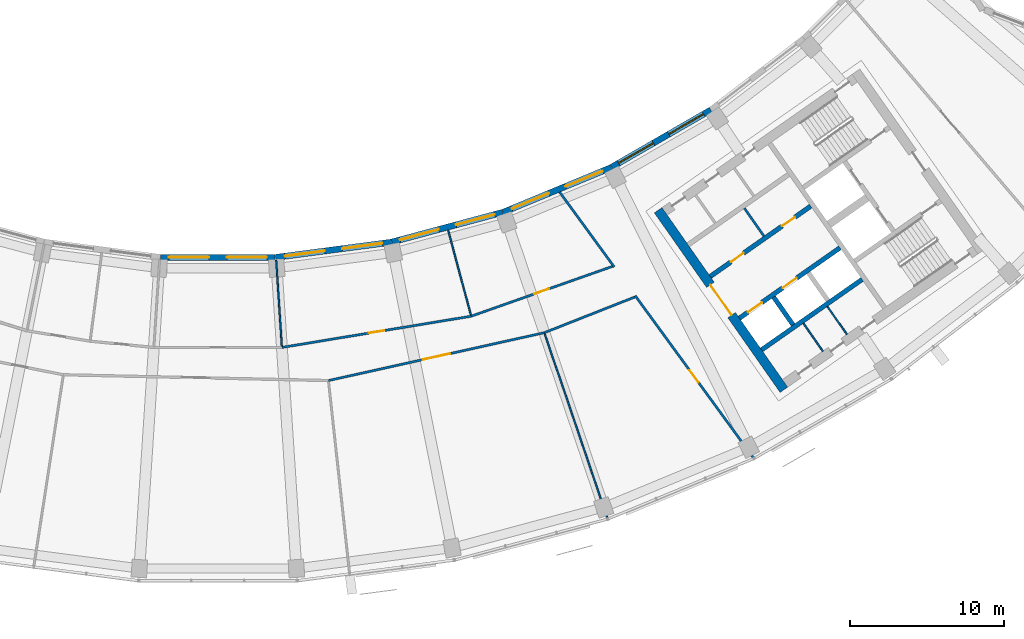
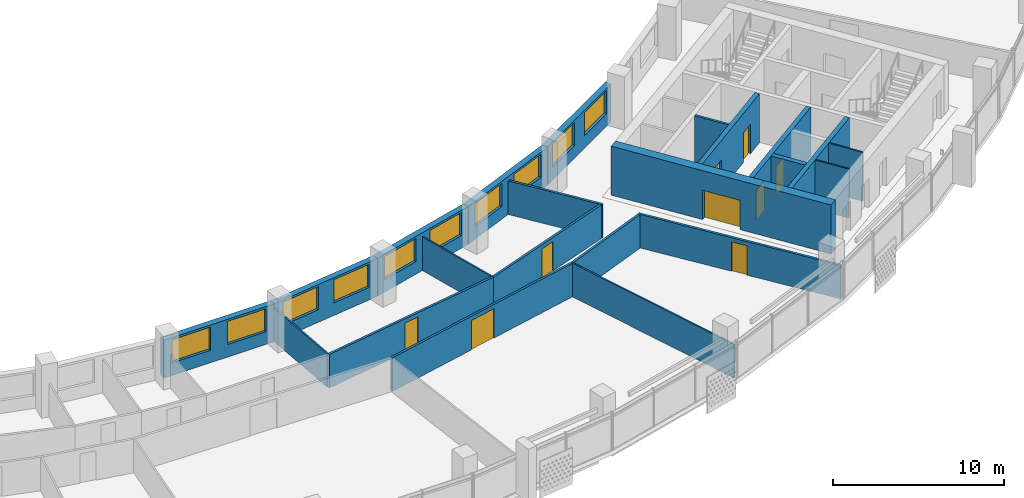
# One storey, part 6 of 28: 22 walls, 10 windows, 9 doors, 19 openings.
"""IFC4 building model written with IfcOpenShell, lengths in metres."""

from ifc_helpers import new_model, si_unit, direction, frame, frame_2d, origin, place, context, subcontext, project, spatial, rectangle, extrude, material, layer, layer_set, type_object, element, fill, save


model = new_model("IFC4")

# Units and contexts
model_context = context("Model", 3, precision=1e-05, world=origin(), true_north=direction((0.0, 1.0)))
body_context = subcontext(model_context, "Body", "Model", "MODEL_VIEW")
ifc_project = project(units=[si_unit("LENGTHUNIT", "METRE"), si_unit("AREAUNIT", "SQUARE_METRE"), si_unit("VOLUMEUNIT", "CUBIC_METRE"), si_unit("PLANEANGLEUNIT", "RADIAN"), si_unit("MASSUNIT", "GRAM", prefix="KILO")], contexts=[model_context])

# Site, building, storey
site_placement = place(None, origin())
site = spatial("IfcSite", under=ifc_project, at=site_placement, CompositionType="ELEMENT")
building_placement = place(site_placement, origin())
building = spatial("IfcBuilding", under=site, at=building_placement, Name="Qamariyya Broadcast Tower", CompositionType="ELEMENT")
storey_placement = place(building_placement, frame((0.0, 0.0, 215.10009765625)))
storey = spatial("IfcBuildingStorey", under=building, at=storey_placement, Name="L51", CompositionType="ELEMENT", Elevation=215.10009765625)

# Wall, opening, door
ifc_material_1 = material(Name="Concrete C60/75", Category="concrete")
ifc_layer_1 = layer(ifc_material_1, 0.60009765625)
ifc_layer_set_1 = layer_set([ifc_layer_1], Name="Core wall 600 mm Concrete C60/75")
wall_type_1 = type_object("IfcWallType", Name="Core wall 600 mm Concrete C60/75", PredefinedType="SHEAR", material=ifc_layer_set_1)
wall_1_placement = place(storey_placement, frame((36.66748046875, -66.005126953125, 0.0), z_axis=(0.0, 0.0, 1.0), x_axis=(-0.573568499524, 0.819157601658, 0.0)))
wall_1 = element("IfcWall", 1, at=wall_1_placement, inside=storey, type_object=wall_type_1, Name="k-E-L51-WA", PredefinedType="SHEAR", context=body_context, shape_type="SweptSolid", body=[
    extrude(rectangle(XDim=14.19970703125, YDim=0.60009765625, at=frame_2d((7.099853515625, 0.0))), origin(), (0.0, 0.0, 1.0), 3.5),
])
opening_1_placement = place(wall_1_placement, frame((5.89990234375, 0.0, 0.0)))
opening_1 = element("IfcOpeningElement", 2, at=opening_1_placement, cuts=wall_1, Name="Opening KD3-E1", PredefinedType="OPENING", context=body_context, shape_type="SweptSolid", body=[
    extrude(rectangle(XDim=2.39990234375, YDim=2.10009765625, at=frame_2d((1.199951171875, 1.050048828125))), frame((0.0, 0.31005859375, 0.0), z_axis=(0.0, -1.0, 0.0), x_axis=(1.0, 0.0, 0.0)), (0.0, 0.0, 1.0), 0.6201171875),
])
ifc_material_2 = material(Name="Steel fire-resisting door leaf", Category="steel")
door_type_1 = type_object("IfcDoorType", Name="Lift lobby door KD3", OperationType="DOUBLE_DOOR_SINGLE_SWING", PredefinedType="DOOR", material=ifc_material_2)
door_1_placement = place(opening_1_placement, origin())
door_1 = element("IfcDoor", 3, at=door_1_placement, inside=storey, type_object=door_type_1, Name="k-E-L51-WA-D1", OperationType="DOUBLE_DOOR_SINGLE_SWING", OverallHeight=2.10009765625, OverallWidth=2.39990234375, PredefinedType="DOOR", context=body_context, shape_type="SweptSolid", body=[
    extrude(rectangle(XDim=2.39990234375, YDim=2.10009765625, at=frame_2d((1.199951171875, 1.050048828125))), frame((0.0, 0.02490234375, 0.0), z_axis=(0.0, -1.0, 0.0), x_axis=(1.0, 0.0, 0.0)), (0.0, 0.0, 1.0), 0.050048828125),
])
fill(opening_1, door_1)

ifc_material_3 = material(Name="Gypsum board partition")
ifc_layer_2 = layer(ifc_material_3, 0.14990234375)
ifc_layer_set_2 = layer_set([ifc_layer_2], Name="Corridor partition 150 EI 60")
wall_type_2 = type_object("IfcWallType", Name="Corridor partition 150 EI 60", PredefinedType="PARTITIONING", material=ifc_layer_set_2)
wall_2_placement = place(storey_placement, frame((4.146484375, -63.26416015625, 0.0), z_axis=(0.0, 0.0, 1.0), x_axis=(0.986645467323, 0.162882539919, 0.0)))
wall_2 = element("IfcWall", 4, at=wall_2_placement, inside=storey, type_object=wall_type_2, Name="Partition L51-019", PredefinedType="PARTITIONING", context=body_context, shape_type="SweptSolid", body=[
    extrude(rectangle(XDim=12.4287109375, YDim=0.14990234375, at=frame_2d((6.21435546875, 0.0))), origin(), (0.0, 0.0, 1.0), 2.39990234375),
])
opening_2_placement = place(wall_2_placement, frame((5.71435546875, 0.0, 0.0)))
opening_2 = element("IfcOpeningElement", 5, at=opening_2_placement, cuts=wall_2, Name="Opening L51-D11", PredefinedType="OPENING", context=body_context, shape_type="SweptSolid", body=[
    extrude(rectangle(XDim=1.0, YDim=2.10009765625, at=frame_2d((0.5, 1.050048828125))), frame((0.0, 0.0849609375, 0.0), z_axis=(0.0, -1.0, 0.0), x_axis=(1.0, 0.0, 0.0)), (0.0, 0.0, 1.0), 0.169921875),
])
ifc_material_4 = material(Name="Timber fire door leaf", Category="wood")
door_type_2 = type_object("IfcDoorType", Name="Fire door 1000 x 2100 FD60", OperationType="NOTDEFINED", PredefinedType="DOOR", material=ifc_material_4)
door_2_placement = place(opening_2_placement, origin())
door_2 = element("IfcDoor", 6, at=door_2_placement, inside=storey, type_object=door_type_2, Name="Door L51-D11", OperationType="SINGLE_SWING_RIGHT", OverallHeight=2.10009765625, OverallWidth=1.0, PredefinedType="DOOR", context=body_context, shape_type="SweptSolid", body=[
    extrude(rectangle(XDim=1.0, YDim=2.10009765625, at=frame_2d((0.5, 1.050048828125))), frame((0.0, 0.02490234375, 0.0), z_axis=(0.0, -1.0, 0.0), x_axis=(1.0, 0.0, 0.0)), (0.0, 0.0, 1.0), 0.050048828125),
])
fill(opening_2, door_2)

wall_3_placement = place(storey_placement, frame((21.150634765625, -62.30810546875, 0.0), z_axis=(0.0, 0.0, 1.0), x_axis=(-0.976299184302, -0.216425282099, 0.0)))
wall_3 = element("IfcWall", 7, at=wall_3_placement, inside=storey, type_object=wall_type_2, Name="Partition L51-020", PredefinedType="PARTITIONING", context=body_context, shape_type="SweptSolid", body=[
    extrude(rectangle(XDim=14.32861328125, YDim=0.14990234375, at=frame_2d((7.164306640625, 0.0))), origin(), (0.0, 0.0, 1.0), 2.39990234375),
])
opening_3_placement = place(wall_3_placement, frame((6.264404296875, 0.0, 0.0)))
opening_3 = element("IfcOpeningElement", 8, at=opening_3_placement, cuts=wall_3, Name="Opening L51-D05", PredefinedType="OPENING", context=body_context, shape_type="SweptSolid", body=[
    extrude(rectangle(XDim=1.800048828125, YDim=2.10009765625, at=frame_2d((0.89990234375, 1.050048828125))), frame((0.0, 0.0849609375, 0.0), z_axis=(0.0, -1.0, 0.0), x_axis=(1.0, 0.0, 0.0)), (0.0, 0.0, 1.0), 0.169921875),
])
door_type_3 = type_object("IfcDoorType", Name="Double fire door 1800 x 2100 FD60", OperationType="NOTDEFINED", PredefinedType="DOOR", material=ifc_material_4)
door_3_placement = place(opening_3_placement, origin())
door_3 = element("IfcDoor", 9, at=door_3_placement, inside=storey, type_object=door_type_3, Name="Door L51-D05", OperationType="DOUBLE_DOOR_SINGLE_SWING", OverallHeight=2.10009765625, OverallWidth=1.800048828125, PredefinedType="DOOR", context=body_context, shape_type="SweptSolid", body=[
    extrude(rectangle(XDim=1.800048828125, YDim=2.10009765625, at=frame_2d((0.89990234375, 1.050048828125))), frame((0.0, 0.02490234375, 0.0), z_axis=(0.0, -1.0, 0.0), x_axis=(1.0, 0.0, 0.0)), (0.0, 0.0, 1.0), 0.050048828125),
])
fill(opening_3, door_3)

wall_4_placement = place(storey_placement, frame((16.4091796875, -61.23974609375, 0.0), z_axis=(0.0, 0.0, 1.0), x_axis=(0.943087830275, 0.332543748081, 0.0)))
wall_4 = element("IfcWall", 10, at=wall_4_placement, inside=storey, type_object=wall_type_2, Name="Partition L51-023", PredefinedType="PARTITIONING", context=body_context, shape_type="SweptSolid", body=[
    extrude(rectangle(XDim=9.7041015625, YDim=0.14990234375, at=frame_2d((4.85205078125, 0.0))), origin(), (0.0, 0.0, 1.0), 2.39990234375),
])
opening_4_placement = place(wall_4_placement, frame((4.35205078125, 0.0, 0.0)))
opening_4 = element("IfcOpeningElement", 11, at=opening_4_placement, cuts=wall_4, Name="Opening L51-D12", PredefinedType="OPENING", context=body_context, shape_type="SweptSolid", body=[
    extrude(rectangle(XDim=1.0, YDim=2.10009765625, at=frame_2d((0.5, 1.050048828125))), frame((0.0, 0.0849609375, 0.0), z_axis=(0.0, -1.0, 0.0), x_axis=(1.0, 0.0, 0.0)), (0.0, 0.0, 1.0), 0.169921875),
])
door_4_placement = place(opening_4_placement, origin())
door_4 = element("IfcDoor", 12, at=door_4_placement, inside=storey, type_object=door_type_2, Name="Door L51-D12", OperationType="SINGLE_SWING_RIGHT", OverallHeight=2.10009765625, OverallWidth=1.0, PredefinedType="DOOR", context=body_context, shape_type="SweptSolid", body=[
    extrude(rectangle(XDim=1.0, YDim=2.10009765625, at=frame_2d((0.5, 1.050048828125))), frame((0.0, 0.02490234375, 0.0), z_axis=(0.0, -1.0, 0.0), x_axis=(1.0, 0.0, 0.0)), (0.0, 0.0, 1.0), 0.050048828125),
])
fill(opening_4, door_4)

# Walls
wall_5_placement = place(storey_placement, frame((21.150634765625, -62.30810546875, 0.0), z_axis=(0.0, 0.0, 1.0), x_axis=(0.930254850636, 0.366914040162, 0.0)))
element("IfcWall", 13, at=wall_5_placement, inside=storey, type_object=wall_type_2, Name="Partition L51-024", PredefinedType="PARTITIONING", context=body_context, shape_type="SweptSolid", body=[
    extrude(rectangle(XDim=6.296630859375, YDim=0.14990234375, at=frame_2d((3.1484375, 0.0))), origin(), (0.0, 0.0, 1.0), 2.39990234375),
])
wall_6_placement = place(storey_placement, frame((22.135498046875, -53.1943359375, 0.0), z_axis=(0.0, 0.0, 1.0), x_axis=(0.589297062476, -0.807916438846, 0.0)))
element("IfcWall", 14, at=wall_6_placement, inside=storey, type_object=wall_type_2, Name="Partition L51-025", PredefinedType="PARTITIONING", context=body_context, shape_type="SweptSolid", body=[
    extrude(rectangle(XDim=6.008056640625, YDim=0.14990234375, at=frame_2d((3.00390625, 0.0))), origin(), (0.0, 0.0, 1.0), 2.39990234375),
])

# Wall, opening, door
wall_7_placement = place(storey_placement, frame((34.668212890625, -70.37744140625, 0.0), z_axis=(0.0, 0.0, 1.0), x_axis=(-0.589273648147, 0.807933516819, 0.0)))
wall_7 = element("IfcWall", 15, at=wall_7_placement, inside=storey, type_object=wall_type_2, Name="Partition L51-027", PredefinedType="PARTITIONING", context=body_context, shape_type="SweptSolid", body=[
    extrude(rectangle(XDim=12.956298828125, YDim=0.14990234375, at=frame_2d((6.47802734375, 0.0))), origin(), (0.0, 0.0, 1.0), 2.39990234375),
])
opening_5_placement = place(wall_7_placement, frame((5.97802734375, 0.0, 0.0)))
opening_5 = element("IfcOpeningElement", 16, at=opening_5_placement, cuts=wall_7, Name="Opening L51-D06", PredefinedType="OPENING", context=body_context, shape_type="SweptSolid", body=[
    extrude(rectangle(XDim=1.0, YDim=2.10009765625, at=frame_2d((0.5, 1.050048828125))), frame((0.0, 0.0849609375, 0.0), z_axis=(0.0, -1.0, 0.0), x_axis=(1.0, 0.0, 0.0)), (0.0, 0.0, 1.0), 0.169921875),
])
door_5_placement = place(opening_5_placement, origin())
door_5 = element("IfcDoor", 17, at=door_5_placement, inside=storey, type_object=door_type_2, Name="Door L51-D06", OperationType="SINGLE_SWING_RIGHT", OverallHeight=2.10009765625, OverallWidth=1.0, PredefinedType="DOOR", context=body_context, shape_type="SweptSolid", body=[
    extrude(rectangle(XDim=1.0, YDim=2.10009765625, at=frame_2d((0.5, 1.050048828125))), frame((0.0, 0.02490234375, 0.0), z_axis=(0.0, -1.0, 0.0), x_axis=(1.0, 0.0, 0.0)), (0.0, 0.0, 1.0), 0.050048828125),
])
fill(opening_5, door_5)

# Wall
ifc_material_5 = material(Name="Gypsum board partition on steel studs", Category="steel")
ifc_layer_3 = layer(ifc_material_5, 0.14990234375)
ifc_layer_set_3 = layer_set([ifc_layer_3], Name="Gypsum board partition 150 mm")
wall_type_3 = type_object("IfcWallType", Name="Gypsum board partition 150 mm", PredefinedType="PARTITIONING", material=ifc_layer_set_3)
wall_8_placement = place(storey_placement, frame((35.371826171875, -56.047607421875, 0.0), z_axis=(0.0, 0.0, 1.0), x_axis=(-0.573559170999, 0.819164133348, 0.0)))
element("IfcWall", 18, at=wall_8_placement, inside=storey, type_object=wall_type_3, Name="k-E-L51-NC435", PredefinedType="PARTITIONING", context=body_context, shape_type="SweptSolid", body=[
    extrude(rectangle(XDim=2.19970703125, YDim=0.14990234375, at=frame_2d((1.099853515625, 0.0))), origin(), (0.0, 0.0, 1.0), 3.5),
])

# Wall, openings, doors
ifc_layer_4 = layer(ifc_material_1, 0.300048828125)
ifc_layer_set_4 = layer_set([ifc_layer_4], Name="Lift shaft wall 300 mm Concrete C60/75")
wall_type_4 = type_object("IfcWallType", Name="Lift shaft wall 300 mm Concrete C60/75", PredefinedType="SOLIDWALL", material=ifc_layer_set_4)
wall_9_placement = place(storey_placement, frame((31.89453125, -58.66552734375, 0.0), z_axis=(0.0, 0.0, 1.0), x_axis=(0.819166993208, 0.573555086491, 0.0)))
wall_9 = element("IfcWall", 19, at=wall_9_placement, inside=storey, type_object=wall_type_4, Name="k-E-L51-NF0", PredefinedType="SOLIDWALL", context=body_context, shape_type="SweptSolid", body=[
    extrude(rectangle(XDim=7.9501953125, YDim=0.300048828125, at=frame_2d((3.97509765625, 0.0))), origin(), (0.0, 0.0, 1.0), 3.5),
])
opening_6_placement = place(wall_9_placement, frame((1.637451171875, 0.0, 0.0)))
opening_6 = element("IfcOpeningElement", 20, at=opening_6_placement, cuts=wall_9, Name="Opening KD6-E1", PredefinedType="OPENING", context=body_context, shape_type="SweptSolid", body=[
    extrude(rectangle(XDim=1.0, YDim=2.10009765625, at=frame_2d((0.5, 1.050048828125))), frame((0.0, 0.159912109375, 0.0), z_axis=(0.0, -1.0, 0.0), x_axis=(1.0, 0.0, 0.0)), (0.0, 0.0, 1.0), 0.320068359375),
])
opening_7_placement = place(wall_9_placement, frame((5.6875, 0.0, 0.0)))
opening_7 = element("IfcOpeningElement", 21, at=opening_7_placement, cuts=wall_9, Name="Opening KD6-E2", PredefinedType="OPENING", context=body_context, shape_type="SweptSolid", body=[
    extrude(rectangle(XDim=1.0, YDim=2.10009765625, at=frame_2d((0.5, 1.050048828125))), frame((0.0, 0.159912109375, 0.0), z_axis=(0.0, -1.0, 0.0), x_axis=(1.0, 0.0, 0.0)), (0.0, 0.0, 1.0), 0.320068359375),
])
door_type_4 = type_object("IfcDoorType", Name="Core room door KD6", OperationType="SINGLE_SWING_LEFT", PredefinedType="DOOR", material=ifc_material_2)
door_6_placement = place(opening_6_placement, origin())
door_6 = element("IfcDoor", 22, at=door_6_placement, inside=storey, type_object=door_type_4, Name="k-E-L51-NF0-D2", OperationType="SINGLE_SWING_RIGHT", OverallHeight=2.10009765625, OverallWidth=1.0, PredefinedType="DOOR", context=body_context, shape_type="SweptSolid", body=[
    extrude(rectangle(XDim=1.0, YDim=2.10009765625, at=frame_2d((0.5, 1.050048828125))), frame((0.0, 0.02490234375, 0.0), z_axis=(0.0, -1.0, 0.0), x_axis=(1.0, 0.0, 0.0)), (0.0, 0.0, 1.0), 0.050048828125),
])
fill(opening_6, door_6)
door_7_placement = place(opening_7_placement, origin())
door_7 = element("IfcDoor", 23, at=door_7_placement, inside=storey, type_object=door_type_4, Name="k-E-L51-NF0-D3", OperationType="SINGLE_SWING_LEFT", OverallHeight=2.10009765625, OverallWidth=1.0, PredefinedType="DOOR", context=body_context, shape_type="SweptSolid", body=[
    extrude(rectangle(XDim=1.0, YDim=2.10009765625, at=frame_2d((0.5, 1.050048828125))), frame((0.0, 0.02490234375, 0.0), z_axis=(0.0, -1.0, 0.0), x_axis=(1.0, 0.0, 0.0)), (0.0, 0.0, 1.0), 0.050048828125),
])
fill(opening_7, door_7)

wall_10_placement = place(storey_placement, frame((33.787353515625, -61.368896484375, 0.0), z_axis=(0.0, 0.0, 1.0), x_axis=(0.819152564888, 0.573575692858, 0.0)))
wall_10 = element("IfcWall", 24, at=wall_10_placement, inside=storey, type_object=wall_type_4, Name="k-E-L51-SF0", PredefinedType="SOLIDWALL", context=body_context, shape_type="SweptSolid", body=[
    extrude(rectangle(XDim=7.9501953125, YDim=0.300048828125, at=frame_2d((3.97509765625, 0.0))), origin(), (0.0, 0.0, 1.0), 3.5),
])
opening_8_placement = place(wall_10_placement, frame((0.675048828125, 0.0, 0.0)))
opening_8 = element("IfcOpeningElement", 25, at=opening_8_placement, cuts=wall_10, Name="Opening LD", PredefinedType="OPENING", context=body_context, shape_type="SweptSolid", body=[
    extrude(rectangle(XDim=1.10009765625, YDim=2.10009765625, at=frame_2d((0.550048828125, 1.050048828125))), frame((0.0, 0.159912109375, 0.0), z_axis=(0.0, -1.0, 0.0), x_axis=(1.0, 0.0, 0.0)), (0.0, 0.0, 1.0), 0.320068359375),
])
opening_9_placement = place(wall_10_placement, frame((3.425048828125, 0.0, 0.0)))
opening_9 = element("IfcOpeningElement", 26, at=opening_9_placement, cuts=wall_10, Name="Opening LD", PredefinedType="OPENING", context=body_context, shape_type="SweptSolid", body=[
    extrude(rectangle(XDim=1.10009765625, YDim=2.10009765625, at=frame_2d((0.550048828125, 1.050048828125))), frame((0.0, 0.159912109375, 0.0), z_axis=(0.0, -1.0, 0.0), x_axis=(1.0, 0.0, 0.0)), (0.0, 0.0, 1.0), 0.320068359375),
])
door_type_5 = type_object("IfcDoorType", Name="Lift landing door LD", OperationType="DOUBLE_DOOR_SLIDING", PredefinedType="DOOR", material=ifc_material_2)
door_8_placement = place(opening_8_placement, origin())
door_8 = element("IfcDoor", 27, at=door_8_placement, inside=storey, type_object=door_type_5, Name="k-E-L51-SF0-D4", OperationType="DOUBLE_DOOR_SLIDING", OverallHeight=2.10009765625, OverallWidth=1.10009765625, PredefinedType="DOOR", context=body_context, shape_type="SweptSolid", body=[
    extrude(rectangle(XDim=1.10009765625, YDim=2.10009765625, at=frame_2d((0.550048828125, 1.050048828125))), frame((0.0, 0.02490234375, 0.0), z_axis=(0.0, -1.0, 0.0), x_axis=(1.0, 0.0, 0.0)), (0.0, 0.0, 1.0), 0.050048828125),
])
fill(opening_8, door_8)
door_9_placement = place(opening_9_placement, origin())
door_9 = element("IfcDoor", 28, at=door_9_placement, inside=storey, type_object=door_type_5, Name="k-E-L51-SF0-D5", OperationType="DOUBLE_DOOR_SLIDING", OverallHeight=2.10009765625, OverallWidth=1.10009765625, PredefinedType="DOOR", context=body_context, shape_type="SweptSolid", body=[
    extrude(rectangle(XDim=1.10009765625, YDim=2.10009765625, at=frame_2d((0.550048828125, 1.050048828125))), frame((0.0, 0.02490234375, 0.0), z_axis=(0.0, -1.0, 0.0), x_axis=(1.0, 0.0, 0.0)), (0.0, 0.0, 1.0), 0.050048828125),
])
fill(opening_9, door_9)

# Walls
wall_11_placement = place(storey_placement, frame((35.22119140625, -63.41650390625, 0.0), z_axis=(0.0, 0.0, 1.0), x_axis=(0.819166993208, 0.573555086491, 0.0)))
element("IfcWall", 29, at=wall_11_placement, inside=storey, type_object=wall_type_4, Name="k-E-L51-SB0", PredefinedType="SOLIDWALL", context=body_context, shape_type="SweptSolid", body=[
    extrude(rectangle(XDim=7.9501953125, YDim=0.300048828125, at=frame_2d((3.97509765625, 0.0))), origin(), (0.0, 0.0, 1.0), 3.5),
])
wall_12_placement = place(storey_placement, frame((36.003173828125, -60.000244140625, 0.0), z_axis=(0.0, 0.0, 1.0), x_axis=(0.573581496053, -0.819148501424, 0.0)))
element("IfcWall", 30, at=wall_12_placement, inside=storey, type_object=wall_type_4, Name="k-E-L51-SD0", PredefinedType="SOLIDWALL", context=body_context, shape_type="SweptSolid", body=[
    extrude(rectangle(XDim=2.2001953125, YDim=0.300048828125, at=frame_2d((1.10009765625, 0.0))), origin(), (0.0, 0.0, 1.0), 3.5),
])
ifc_layer_5 = layer(ifc_material_3, 0.10009765625)
ifc_layer_set_5 = layer_set([ifc_layer_5], Name="Partition 100")
wall_type_5 = type_object("IfcWallType", Name="Partition 100", PredefinedType="PARTITIONING", material=ifc_layer_set_5)
wall_13_placement = place(storey_placement, frame((3.777099609375, -57.62646484375, 0.0), z_axis=(0.0, 0.0, 1.0), x_axis=(0.065382488891, -0.997860275864, 0.0)))
element("IfcWall", 31, at=wall_13_placement, inside=storey, type_object=wall_type_5, Name="Partition L51-018", PredefinedType="PARTITIONING", context=body_context, shape_type="SweptSolid", body=[
    extrude(rectangle(XDim=5.574951171875, YDim=0.10009765625, at=frame_2d((2.78759765625, 0.0))), origin(), (0.0, 0.0, 1.0), 2.39990234375),
])
wall_14_placement = place(storey_placement, frame((14.9150390625, -55.66357421875, 0.0), z_axis=(0.0, 0.0, 1.0), x_axis=(0.258803907589, -0.965929882247, 0.0)))
element("IfcWall", 32, at=wall_14_placement, inside=storey, type_object=wall_type_5, Name="Partition L51-022", PredefinedType="PARTITIONING", context=body_context, shape_type="SweptSolid", body=[
    extrude(rectangle(XDim=5.69775390625, YDim=0.10009765625, at=frame_2d((2.848876953125, 0.0))), origin(), (0.0, 0.0, 1.0), 2.39990234375),
])
wall_15_placement = place(storey_placement, frame((25.217041015625, -74.28662109375, 0.0), z_axis=(0.0, 0.0, 1.0), x_axis=(-0.321447438057, 0.946927423072, 0.0)))
element("IfcWall", 33, at=wall_15_placement, inside=storey, type_object=wall_type_5, Name="Partition L51-026", PredefinedType="PARTITIONING", context=body_context, shape_type="SweptSolid", body=[
    extrude(rectangle(XDim=12.5751953125, YDim=0.10009765625, at=frame_2d((6.28759765625, 0.0))), origin(), (0.0, 0.0, 1.0), 2.39990234375),
])
ifc_material_6 = material(Name="Fire-rated gypsum shaft liner on steel studs", Category="steel")
ifc_layer_6 = layer(ifc_material_6, 0.10009765625)
ifc_layer_set_6 = layer_set([ifc_layer_6], Name="Riser wall 100 mm")
wall_type_6 = type_object("IfcWallType", Name="Riser wall 100 mm", PredefinedType="PLUMBINGWALL", material=ifc_layer_set_6)
wall_16_placement = place(storey_placement, frame((37.9287109375, -61.7041015625, 0.0), z_axis=(0.0, 0.0, 1.0), x_axis=(0.573559170999, -0.819164133348, 0.0)))
element("IfcWall", 34, at=wall_16_placement, inside=storey, type_object=wall_type_6, Name="k-E-L51-SP320", PredefinedType="PLUMBINGWALL", context=body_context, shape_type="SweptSolid", body=[
    extrude(rectangle(XDim=2.19970703125, YDim=0.10009765625, at=frame_2d((1.099853515625, 0.0))), origin(), (0.0, 0.0, 1.0), 3.5),
])
wall_17_placement = place(storey_placement, frame((39.485107421875, -60.6142578125, 0.0), z_axis=(0.0, 0.0, 1.0), x_axis=(0.573507030513, -0.819200638399, 0.0)))
element("IfcWall", 35, at=wall_17_placement, inside=storey, type_object=wall_type_6, Name="k-E-L51-SP510", PredefinedType="PLUMBINGWALL", context=body_context, shape_type="SweptSolid", body=[
    extrude(rectangle(XDim=2.199951171875, YDim=0.10009765625, at=frame_2d((1.10009765625, 0.0))), origin(), (0.0, 0.0, 1.0), 3.5),
])

# Wall, openings, windows
ifc_material_7 = material(Name="Terracotta", Category="masonry")
ifc_layer_7 = layer(ifc_material_7, 0.39990234375)
ifc_layer_set_7 = layer_set([ifc_layer_7], Name="Terracotta clad wall 400")
wall_type_7 = type_object("IfcWallType", Name="Terracotta clad wall 400", PredefinedType="SOLIDWALL", material=ifc_layer_set_7)
wall_18_placement = place(storey_placement, frame((18.449951171875, -54.50927734375, 0.0), z_axis=(0.0, 0.0, 1.0), x_axis=(-0.965924866111, -0.25882262851, 0.0)))
wall_18 = element("IfcWall", 36, at=wall_18_placement, inside=storey, type_object=wall_type_7, Name="e-wl-L51-in100", PredefinedType="SOLIDWALL", context=body_context, shape_type="SweptSolid", body=[
    extrude(rectangle(XDim=7.426513671875, YDim=0.39990234375, at=frame_2d((3.71337890625, 0.0))), origin(), (0.0, 0.0, 1.0), 2.699951171875),
])
opening_10_placement = place(wall_18_placement, frame((4.28857421875, 0.0, 0.89990234375)))
opening_10 = element("IfcOpeningElement", 37, at=opening_10_placement, cuts=wall_18, Name="Opening W1", PredefinedType="OPENING", context=body_context, shape_type="SweptSolid", body=[
    extrude(rectangle(XDim=2.60009765625, YDim=1.64990234375, at=frame_2d((1.300048828125, 0.824951171875))), frame((0.0, 0.2099609375, 0.0), z_axis=(0.0, -1.0, 0.0), x_axis=(1.0, 0.0, 0.0)), (0.0, 0.0, 1.0), 0.419921875),
])
opening_11_placement = place(wall_18_placement, frame((0.537841796875, 0.0, 0.89990234375)))
opening_11 = element("IfcOpeningElement", 38, at=opening_11_placement, cuts=wall_18, Name="Opening W1", PredefinedType="OPENING", context=body_context, shape_type="SweptSolid", body=[
    extrude(rectangle(XDim=2.60009765625, YDim=1.64990234375, at=frame_2d((1.300048828125, 0.824951171875))), frame((0.0, 0.2099609375, 0.0), z_axis=(0.0, -1.0, 0.0), x_axis=(1.0, 0.0, 0.0)), (0.0, 0.0, 1.0), 0.419921875),
])
ifc_material_8 = material(Name="Clear low-e double glazed unit in aluminium frame", Category="aluminium")
window_type = type_object("IfcWindowType", Name="Ribbon window 2600 x 1650", PartitioningType="SINGLE_PANEL", PredefinedType="WINDOW", material=ifc_material_8)
window_1_placement = place(opening_10_placement, origin())
window_1 = element("IfcWindow", 39, at=window_1_placement, inside=storey, type_object=window_type, Name="e-w-L51-in10-0", OverallHeight=1.64990234375, OverallWidth=2.60009765625, PartitioningType="SINGLE_PANEL", PredefinedType="WINDOW", context=body_context, shape_type="SweptSolid", body=[
    extrude(rectangle(XDim=2.60009765625, YDim=1.64990234375, at=frame_2d((1.300048828125, 0.824951171875))), frame((0.0, 0.030029296875, 0.0), z_axis=(0.0, -1.0, 0.0), x_axis=(1.0, 0.0, 0.0)), (0.0, 0.0, 1.0), 0.06005859375),
])
fill(opening_10, window_1)
window_2_placement = place(opening_11_placement, origin())
window_2 = element("IfcWindow", 40, at=window_2_placement, inside=storey, type_object=window_type, Name="e-w-L51-in10-1", OverallHeight=1.64990234375, OverallWidth=2.60009765625, PartitioningType="SINGLE_PANEL", PredefinedType="WINDOW", context=body_context, shape_type="SweptSolid", body=[
    extrude(rectangle(XDim=2.60009765625, YDim=1.64990234375, at=frame_2d((1.300048828125, 0.824951171875))), frame((0.0, 0.030029296875, 0.0), z_axis=(0.0, -1.0, 0.0), x_axis=(1.0, 0.0, 0.0)), (0.0, 0.0, 1.0), 0.06005859375),
])
fill(opening_11, window_2)

wall_19_placement = place(storey_placement, frame((25.47705078125, -51.60595703125, 0.0), z_axis=(0.0, 0.0, 1.0), x_axis=(-0.923884115122, -0.382672368777, 0.0)))
wall_19 = element("IfcWall", 41, at=wall_19_placement, inside=storey, type_object=wall_type_7, Name="e-wl-L51-in110", PredefinedType="SOLIDWALL", context=body_context, shape_type="SweptSolid", body=[
    extrude(rectangle(XDim=7.578125, YDim=0.39990234375, at=frame_2d((3.7890625, 0.0))), origin(), (0.0, 0.0, 1.0), 2.699951171875),
])
opening_12_placement = place(wall_19_placement, frame((4.364501953125, 0.0, 0.89990234375)))
opening_12 = element("IfcOpeningElement", 42, at=opening_12_placement, cuts=wall_19, Name="Opening W1", PredefinedType="OPENING", context=body_context, shape_type="SweptSolid", body=[
    extrude(rectangle(XDim=2.60009765625, YDim=1.64990234375, at=frame_2d((1.300048828125, 0.824951171875))), frame((0.0, 0.2099609375, 0.0), z_axis=(0.0, -1.0, 0.0), x_axis=(1.0, 0.0, 0.0)), (0.0, 0.0, 1.0), 0.419921875),
])
opening_13_placement = place(wall_19_placement, frame((0.613525390625, 0.0, 0.89990234375)))
opening_13 = element("IfcOpeningElement", 43, at=opening_13_placement, cuts=wall_19, Name="Opening W1", PredefinedType="OPENING", context=body_context, shape_type="SweptSolid", body=[
    extrude(rectangle(XDim=2.60009765625, YDim=1.64990234375, at=frame_2d((1.300048828125, 0.824951171875))), frame((0.0, 0.2099609375, 0.0), z_axis=(0.0, -1.0, 0.0), x_axis=(1.0, 0.0, 0.0)), (0.0, 0.0, 1.0), 0.419921875),
])
window_3_placement = place(opening_12_placement, origin())
window_3 = element("IfcWindow", 44, at=window_3_placement, inside=storey, type_object=window_type, Name="e-w-L51-in11-0", OverallHeight=1.64990234375, OverallWidth=2.60009765625, PartitioningType="SINGLE_PANEL", PredefinedType="WINDOW", context=body_context, shape_type="SweptSolid", body=[
    extrude(rectangle(XDim=2.60009765625, YDim=1.64990234375, at=frame_2d((1.300048828125, 0.824951171875))), frame((0.0, 0.030029296875, 0.0), z_axis=(0.0, -1.0, 0.0), x_axis=(1.0, 0.0, 0.0)), (0.0, 0.0, 1.0), 0.06005859375),
])
fill(opening_12, window_3)
window_4_placement = place(opening_13_placement, origin())
window_4 = element("IfcWindow", 45, at=window_4_placement, inside=storey, type_object=window_type, Name="e-w-L51-in11-1", OverallHeight=1.64990234375, OverallWidth=2.60009765625, PartitioningType="SINGLE_PANEL", PredefinedType="WINDOW", context=body_context, shape_type="SweptSolid", body=[
    extrude(rectangle(XDim=2.60009765625, YDim=1.64990234375, at=frame_2d((1.300048828125, 0.824951171875))), frame((0.0, 0.030029296875, 0.0), z_axis=(0.0, -1.0, 0.0), x_axis=(1.0, 0.0, 0.0)), (0.0, 0.0, 1.0), 0.06005859375),
])
fill(opening_13, window_4)

wall_20_placement = place(storey_placement, frame((31.929443359375, -47.876708984375, 0.0), z_axis=(0.0, 0.0, 1.0), x_axis=(-0.866021353871, -0.500007014591, 0.0)))
wall_20 = element("IfcWall", 46, at=wall_20_placement, inside=storey, type_object=wall_type_7, Name="e-wl-L51-in120", PredefinedType="SOLIDWALL", context=body_context, shape_type="SweptSolid", body=[
    extrude(rectangle(XDim=7.4267578125, YDim=0.39990234375, at=frame_2d((3.71337890625, 0.0))), origin(), (0.0, 0.0, 1.0), 2.699951171875),
])
opening_14_placement = place(wall_20_placement, frame((4.28857421875, 0.0, 0.89990234375)))
opening_14 = element("IfcOpeningElement", 47, at=opening_14_placement, cuts=wall_20, Name="Opening W1", PredefinedType="OPENING", context=body_context, shape_type="SweptSolid", body=[
    extrude(rectangle(XDim=2.60009765625, YDim=1.64990234375, at=frame_2d((1.300048828125, 0.824951171875))), frame((0.0, 0.2099609375, 0.0), z_axis=(0.0, -1.0, 0.0), x_axis=(1.0, 0.0, 0.0)), (0.0, 0.0, 1.0), 0.419921875),
])
opening_15_placement = place(wall_20_placement, frame((0.537841796875, 0.0, 0.89990234375)))
opening_15 = element("IfcOpeningElement", 48, at=opening_15_placement, cuts=wall_20, Name="Opening W1", PredefinedType="OPENING", context=body_context, shape_type="SweptSolid", body=[
    extrude(rectangle(XDim=2.60009765625, YDim=1.64990234375, at=frame_2d((1.300048828125, 0.824951171875))), frame((0.0, 0.2099609375, 0.0), z_axis=(0.0, -1.0, 0.0), x_axis=(1.0, 0.0, 0.0)), (0.0, 0.0, 1.0), 0.419921875),
])
window_5_placement = place(opening_14_placement, origin())
window_5 = element("IfcWindow", 49, at=window_5_placement, inside=storey, type_object=window_type, Name="e-w-L51-in12-0", OverallHeight=1.64990234375, OverallWidth=2.60009765625, PartitioningType="SINGLE_PANEL", PredefinedType="WINDOW", context=body_context, shape_type="SweptSolid", body=[
    extrude(rectangle(XDim=2.60009765625, YDim=1.64990234375, at=frame_2d((1.300048828125, 0.824951171875))), frame((0.0, 0.030029296875, 0.0), z_axis=(0.0, -1.0, 0.0), x_axis=(1.0, 0.0, 0.0)), (0.0, 0.0, 1.0), 0.06005859375),
])
fill(opening_14, window_5)
window_6_placement = place(opening_15_placement, origin())
window_6 = element("IfcWindow", 50, at=window_6_placement, inside=storey, type_object=window_type, Name="e-w-L51-in12-1", OverallHeight=1.64990234375, OverallWidth=2.60009765625, PartitioningType="SINGLE_PANEL", PredefinedType="WINDOW", context=body_context, shape_type="SweptSolid", body=[
    extrude(rectangle(XDim=2.60009765625, YDim=1.64990234375, at=frame_2d((1.300048828125, 0.824951171875))), frame((0.0, 0.030029296875, 0.0), z_axis=(0.0, -1.0, 0.0), x_axis=(1.0, 0.0, 0.0)), (0.0, 0.0, 1.0), 0.06005859375),
])
fill(opening_15, window_6)

wall_21_placement = place(storey_placement, frame((3.713134765625, -57.42724609375, 0.0), z_axis=(0.0, 0.0, 1.0), x_axis=(-1.0, 0.0, 0.0)))
wall_21 = element("IfcWall", 51, at=wall_21_placement, inside=storey, type_object=wall_type_7, Name="e-wl-L51-in80", PredefinedType="SOLIDWALL", context=body_context, shape_type="SweptSolid", body=[
    extrude(rectangle(XDim=7.42626953125, YDim=0.39990234375, at=frame_2d((3.713134765625, 0.0))), origin(), (0.0, 0.0, 1.0), 2.699951171875),
])
opening_16_placement = place(wall_21_placement, frame((4.28857421875, 0.0, 0.89990234375)))
opening_16 = element("IfcOpeningElement", 52, at=opening_16_placement, cuts=wall_21, Name="Opening W1", PredefinedType="OPENING", context=body_context, shape_type="SweptSolid", body=[
    extrude(rectangle(XDim=2.60009765625, YDim=1.64990234375, at=frame_2d((1.300048828125, 0.824951171875))), frame((0.0, 0.2099609375, 0.0), z_axis=(0.0, -1.0, 0.0), x_axis=(1.0, 0.0, 0.0)), (0.0, 0.0, 1.0), 0.419921875),
])
opening_17_placement = place(wall_21_placement, frame((0.537841796875, 0.0, 0.89990234375)))
opening_17 = element("IfcOpeningElement", 53, at=opening_17_placement, cuts=wall_21, Name="Opening W1", PredefinedType="OPENING", context=body_context, shape_type="SweptSolid", body=[
    extrude(rectangle(XDim=2.60009765625, YDim=1.64990234375, at=frame_2d((1.300048828125, 0.824951171875))), frame((0.0, 0.2099609375, 0.0), z_axis=(0.0, -1.0, 0.0), x_axis=(1.0, 0.0, 0.0)), (0.0, 0.0, 1.0), 0.419921875),
])
window_7_placement = place(opening_16_placement, origin())
window_7 = element("IfcWindow", 54, at=window_7_placement, inside=storey, type_object=window_type, Name="e-w-L51-in08-0", OverallHeight=1.64990234375, OverallWidth=2.60009765625, PartitioningType="SINGLE_PANEL", PredefinedType="WINDOW", context=body_context, shape_type="SweptSolid", body=[
    extrude(rectangle(XDim=2.60009765625, YDim=1.64990234375, at=frame_2d((1.300048828125, 0.824951171875))), frame((0.0, 0.030029296875, 0.0), z_axis=(0.0, -1.0, 0.0), x_axis=(1.0, 0.0, 0.0)), (0.0, 0.0, 1.0), 0.06005859375),
])
fill(opening_16, window_7)
window_8_placement = place(opening_17_placement, origin())
window_8 = element("IfcWindow", 55, at=window_8_placement, inside=storey, type_object=window_type, Name="e-w-L51-in08-1", OverallHeight=1.64990234375, OverallWidth=2.60009765625, PartitioningType="SINGLE_PANEL", PredefinedType="WINDOW", context=body_context, shape_type="SweptSolid", body=[
    extrude(rectangle(XDim=2.60009765625, YDim=1.64990234375, at=frame_2d((1.300048828125, 0.824951171875))), frame((0.0, 0.030029296875, 0.0), z_axis=(0.0, -1.0, 0.0), x_axis=(1.0, 0.0, 0.0)), (0.0, 0.0, 1.0), 0.06005859375),
])
fill(opening_17, window_8)

wall_22_placement = place(storey_placement, frame((11.252197265625, -56.44140625, 0.0), z_axis=(0.0, 0.0, 1.0), x_axis=(-0.991446288508, -0.130515351599, 0.0)))
wall_22 = element("IfcWall", 56, at=wall_22_placement, inside=storey, type_object=wall_type_7, Name="e-wl-L51-in90", PredefinedType="SOLIDWALL", context=body_context, shape_type="SweptSolid", body=[
    extrude(rectangle(XDim=7.57763671875, YDim=0.39990234375, at=frame_2d((3.788818359375, 0.0))), origin(), (0.0, 0.0, 1.0), 2.699951171875),
])
opening_18_placement = place(wall_22_placement, frame((4.364501953125, 0.0, 0.89990234375)))
opening_18 = element("IfcOpeningElement", 57, at=opening_18_placement, cuts=wall_22, Name="Opening W1", PredefinedType="OPENING", context=body_context, shape_type="SweptSolid", body=[
    extrude(rectangle(XDim=2.60009765625, YDim=1.64990234375, at=frame_2d((1.300048828125, 0.824951171875))), frame((0.0, 0.2099609375, 0.0), z_axis=(0.0, -1.0, 0.0), x_axis=(1.0, 0.0, 0.0)), (0.0, 0.0, 1.0), 0.419921875),
])
opening_19_placement = place(wall_22_placement, frame((0.613525390625, 0.0, 0.89990234375)))
opening_19 = element("IfcOpeningElement", 58, at=opening_19_placement, cuts=wall_22, Name="Opening W1", PredefinedType="OPENING", context=body_context, shape_type="SweptSolid", body=[
    extrude(rectangle(XDim=2.60009765625, YDim=1.64990234375, at=frame_2d((1.300048828125, 0.824951171875))), frame((0.0, 0.2099609375, 0.0), z_axis=(0.0, -1.0, 0.0), x_axis=(1.0, 0.0, 0.0)), (0.0, 0.0, 1.0), 0.419921875),
])
window_9_placement = place(opening_18_placement, origin())
window_9 = element("IfcWindow", 59, at=window_9_placement, inside=storey, type_object=window_type, Name="e-w-L51-in09-0", OverallHeight=1.64990234375, OverallWidth=2.60009765625, PartitioningType="SINGLE_PANEL", PredefinedType="WINDOW", context=body_context, shape_type="SweptSolid", body=[
    extrude(rectangle(XDim=2.60009765625, YDim=1.64990234375, at=frame_2d((1.300048828125, 0.824951171875))), frame((0.0, 0.030029296875, 0.0), z_axis=(0.0, -1.0, 0.0), x_axis=(1.0, 0.0, 0.0)), (0.0, 0.0, 1.0), 0.06005859375),
])
fill(opening_18, window_9)
window_10_placement = place(opening_19_placement, origin())
window_10 = element("IfcWindow", 60, at=window_10_placement, inside=storey, type_object=window_type, Name="e-w-L51-in09-1", OverallHeight=1.64990234375, OverallWidth=2.60009765625, PartitioningType="SINGLE_PANEL", PredefinedType="WINDOW", context=body_context, shape_type="SweptSolid", body=[
    extrude(rectangle(XDim=2.60009765625, YDim=1.64990234375, at=frame_2d((1.300048828125, 0.824951171875))), frame((0.0, 0.030029296875, 0.0), z_axis=(0.0, -1.0, 0.0), x_axis=(1.0, 0.0, 0.0)), (0.0, 0.0, 1.0), 0.06005859375),
])
fill(opening_19, window_10)

save(model, "model.ifc")
